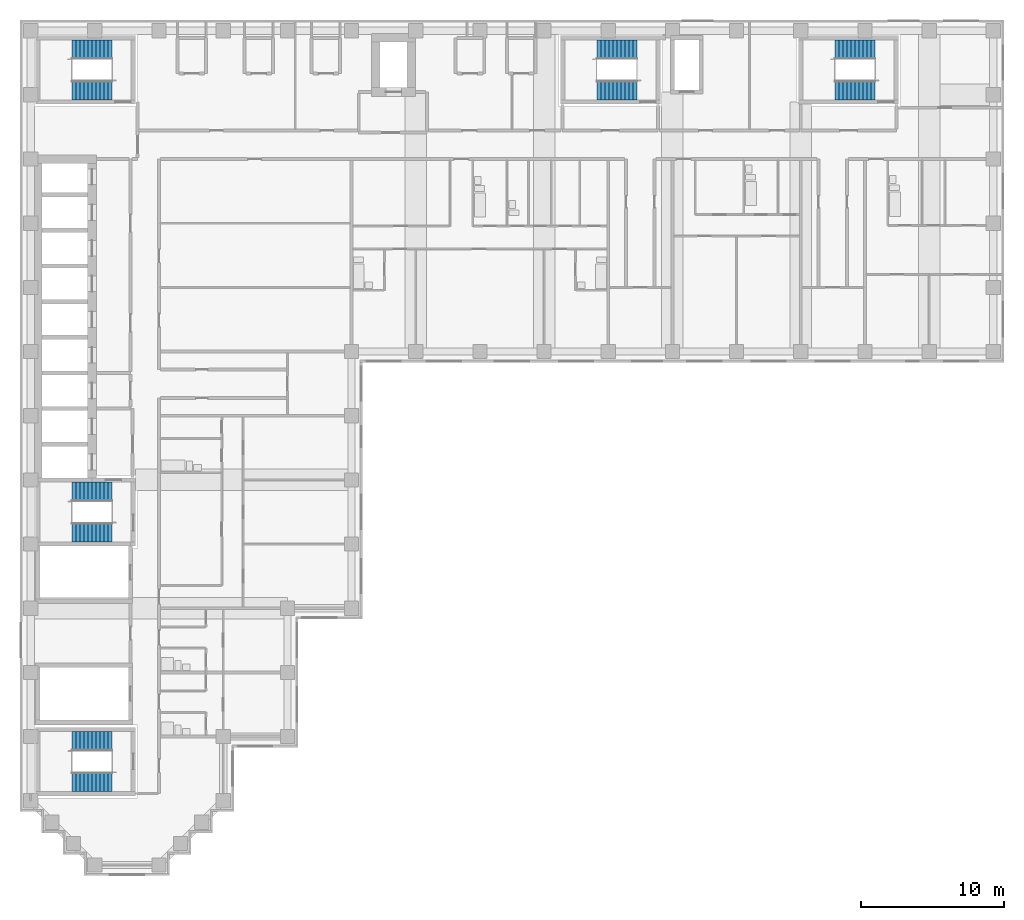
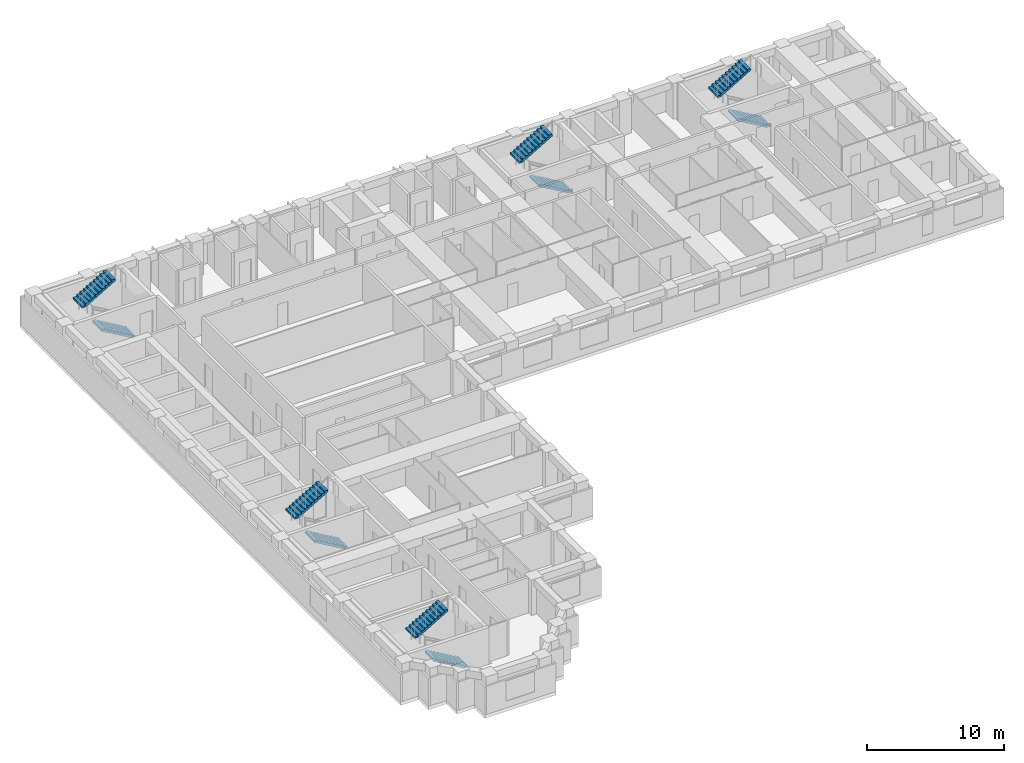
# One storey, part 10 of 12: 10 stair flights, 5 elements without a shape of their own.
"""IFC4 building model written with IfcOpenShell, lengths in metres."""

from ifc_helpers import new_model, si_unit, direction, frame, origin, place, context, subcontext, project, spatial, polyline, outline, extrude, material, type_object, element, aggregate, save


model = new_model("IFC4")

# Units and contexts
model_context = context("Model", 3, precision=1e-05, world=origin(), true_north=direction((0.0, 1.0)))
body_context = subcontext(model_context, "Body", "Model", "MODEL_VIEW")
ifc_project = project(units=[si_unit("LENGTHUNIT", "METRE"), si_unit("AREAUNIT", "SQUARE_METRE"), si_unit("VOLUMEUNIT", "CUBIC_METRE"), si_unit("PLANEANGLEUNIT", "RADIAN"), si_unit("MASSUNIT", "GRAM", prefix="KILO")], contexts=[model_context])

# Site, building, storey
site_placement = place(None, origin())
site = spatial("IfcSite", under=ifc_project, at=site_placement, CompositionType="ELEMENT")
building_placement = place(site_placement, origin())
building = spatial("IfcBuilding", under=site, at=building_placement, Name="Firuza Court", CompositionType="ELEMENT")
storey_placement = place(building_placement, frame((0.0, 0.0, 170.0)))
storey = spatial("IfcBuildingStorey", under=building, at=storey_placement, Name="L43", CompositionType="ELEMENT", Elevation=170.0)

# Stair, stair flights
ifc_material_1 = material(Name="Concrete C40/50 precast", Category="concrete")
stair_type = type_object("IfcStairType", Name="Stair 1350 x 3600 2 flights", PredefinedType="HALF_TURN_STAIR", material=ifc_material_1)
stair_1_placement = place(storey_placement, origin())
stair_1 = element("IfcStair", 1, at=stair_1_placement, inside=storey, type_object=stair_type, Name="Stair 1 L43", PredefinedType="HALF_TURN_STAIR")
ifc_material_2 = material(Name="Concrete C40/50 precast", Category="concrete")
stair_flight_type = type_object("IfcStairFlightType", Name="Flight 1350 riser 163.6", PredefinedType="STRAIGHT", material=ifc_material_2)
stair_flight_1_placement = place(storey_placement, frame((42.5, 54.324951171875, 0.0), z_axis=(0.0, 0.0, 1.0), x_axis=(-1.0, 0.0, 0.0)))
stair_flight_1 = element("IfcStairFlight", 2, at=stair_flight_1_placement, type_object=stair_flight_type, Name="S1 flight 1", NumberOfRisers=11, NumberOfTreads=10, PredefinedType="STRAIGHT", RiserHeight=0.163636364, TreadLength=0.28, context=body_context, shape_type="SweptSolid", body=[
    extrude(outline(polyline([(0.0, 0.0), (0.0, 0.16357421875), (0.280029296875, 0.16357421875), (0.280029296875, 0.327392578125), (0.56005859375, 0.327392578125), (0.56005859375, 0.490966796875), (0.840087890625, 0.490966796875), (0.840087890625, 0.654541015625), (1.1201171875, 0.654541015625), (1.1201171875, 0.818115234375), (1.39990234375, 0.818115234375), (1.39990234375, 0.98193359375), (1.679931640625, 0.98193359375), (1.679931640625, 1.1455078125), (1.9599609375, 1.1455078125), (1.9599609375, 1.30908203125), (2.239990234375, 1.30908203125), (2.239990234375, 1.47265625), (2.52001953125, 1.47265625), (2.52001953125, 1.636474609375), (2.800048828125, 1.636474609375), (2.800048828125, 1.800048828125), (2.800048828125, 1.462646484375), (0.297119140625, 0.0), (0.0, 0.0)])), frame((0.0, 0.675048828125, 0.0), z_axis=(0.0, -1.0, 0.0), x_axis=(1.0, 0.0, 0.0)), (0.0, 0.0, 1.0), 1.35009765625),
])
stair_flight_2_placement = place(storey_placement, frame((39.699951171875, 57.175048828125, 1.800048828125), z_axis=(0.0, 0.0, 1.0), x_axis=(1.0, 0.0, 0.0)))
stair_flight_2 = element("IfcStairFlight", 3, at=stair_flight_2_placement, type_object=stair_flight_type, Name="S1 flight 2", NumberOfRisers=11, NumberOfTreads=10, PredefinedType="STRAIGHT", RiserHeight=0.163636364, TreadLength=0.28, context=body_context, shape_type="SweptSolid", body=[
    extrude(outline(polyline([(0.0, 0.0), (0.0, 0.16357421875), (0.280029296875, 0.16357421875), (0.280029296875, 0.327392578125), (0.56005859375, 0.327392578125), (0.56005859375, 0.490966796875), (0.840087890625, 0.490966796875), (0.840087890625, 0.654541015625), (1.1201171875, 0.654541015625), (1.1201171875, 0.818115234375), (1.39990234375, 0.818115234375), (1.39990234375, 0.98193359375), (1.679931640625, 0.98193359375), (1.679931640625, 1.1455078125), (1.9599609375, 1.1455078125), (1.9599609375, 1.30908203125), (2.239990234375, 1.30908203125), (2.239990234375, 1.47265625), (2.52001953125, 1.47265625), (2.52001953125, 1.636474609375), (2.800048828125, 1.636474609375), (2.800048828125, 1.800048828125), (2.800048828125, 1.462646484375), (0.297119140625, 0.0), (0.0, 0.0)])), frame((0.0, 0.675048828125, 0.0), z_axis=(0.0, -1.0, 0.0), x_axis=(1.0, 0.0, 0.0)), (0.0, 0.0, 1.0), 1.35009765625),
])
aggregate(stair_1, [stair_flight_1, stair_flight_2])

stair_2_placement = place(storey_placement, origin())
stair_2 = element("IfcStair", 4, at=stair_2_placement, inside=storey, type_object=stair_type, Name="Stair 2 L43", PredefinedType="HALF_TURN_STAIR")
stair_flight_3_placement = place(storey_placement, frame((5.699951171875, 23.324951171875, 0.0), z_axis=(0.0, 0.0, 1.0), x_axis=(-1.0, 0.0, 0.0)))
stair_flight_3 = element("IfcStairFlight", 5, at=stair_flight_3_placement, type_object=stair_flight_type, Name="S2 flight 1", NumberOfRisers=11, NumberOfTreads=10, PredefinedType="STRAIGHT", RiserHeight=0.163636364, TreadLength=0.28, context=body_context, shape_type="SweptSolid", body=[
    extrude(outline(polyline([(0.0, 0.0), (0.0, 0.16357421875), (0.280029296875, 0.16357421875), (0.280029296875, 0.327392578125), (0.56005859375, 0.327392578125), (0.56005859375, 0.490966796875), (0.840087890625, 0.490966796875), (0.840087890625, 0.654541015625), (1.1201171875, 0.654541015625), (1.1201171875, 0.818115234375), (1.39990234375, 0.818115234375), (1.39990234375, 0.98193359375), (1.679931640625, 0.98193359375), (1.679931640625, 1.1455078125), (1.9599609375, 1.1455078125), (1.9599609375, 1.30908203125), (2.239990234375, 1.30908203125), (2.239990234375, 1.47265625), (2.52001953125, 1.47265625), (2.52001953125, 1.636474609375), (2.800048828125, 1.636474609375), (2.800048828125, 1.800048828125), (2.800048828125, 1.462646484375), (0.297119140625, 0.0), (0.0, 0.0)])), frame((0.0, 0.675048828125, 0.0), z_axis=(0.0, -1.0, 0.0), x_axis=(1.0, 0.0, 0.0)), (0.0, 0.0, 1.0), 1.35009765625),
])
stair_flight_4_placement = place(storey_placement, frame((2.89990234375, 26.175048828125, 1.800048828125), z_axis=(0.0, 0.0, 1.0), x_axis=(1.0, 0.0, 0.0)))
stair_flight_4 = element("IfcStairFlight", 6, at=stair_flight_4_placement, type_object=stair_flight_type, Name="S2 flight 2", NumberOfRisers=11, NumberOfTreads=10, PredefinedType="STRAIGHT", RiserHeight=0.163636364, TreadLength=0.28, context=body_context, shape_type="SweptSolid", body=[
    extrude(outline(polyline([(0.0, 0.0), (0.0, 0.16357421875), (0.280029296875, 0.16357421875), (0.280029296875, 0.327392578125), (0.56005859375, 0.327392578125), (0.56005859375, 0.490966796875), (0.840087890625, 0.490966796875), (0.840087890625, 0.654541015625), (1.1201171875, 0.654541015625), (1.1201171875, 0.818115234375), (1.39990234375, 0.818115234375), (1.39990234375, 0.98193359375), (1.679931640625, 0.98193359375), (1.679931640625, 1.1455078125), (1.9599609375, 1.1455078125), (1.9599609375, 1.30908203125), (2.239990234375, 1.30908203125), (2.239990234375, 1.47265625), (2.52001953125, 1.47265625), (2.52001953125, 1.636474609375), (2.800048828125, 1.636474609375), (2.800048828125, 1.800048828125), (2.800048828125, 1.462646484375), (0.297119140625, 0.0), (0.0, 0.0)])), frame((0.0, 0.675048828125, 0.0), z_axis=(0.0, -1.0, 0.0), x_axis=(1.0, 0.0, 0.0)), (0.0, 0.0, 1.0), 1.35009765625),
])
aggregate(stair_2, [stair_flight_3, stair_flight_4])

stair_3_placement = place(storey_placement, origin())
stair_3 = element("IfcStair", 7, at=stair_3_placement, inside=storey, type_object=stair_type, Name="Stair 3 L43", PredefinedType="HALF_TURN_STAIR")
stair_flight_5_placement = place(storey_placement, frame((5.699951171875, 54.324951171875, 0.0), z_axis=(0.0, 0.0, 1.0), x_axis=(-1.0, 0.0, 0.0)))
stair_flight_5 = element("IfcStairFlight", 8, at=stair_flight_5_placement, type_object=stair_flight_type, Name="S3 flight 1", NumberOfRisers=11, NumberOfTreads=10, PredefinedType="STRAIGHT", RiserHeight=0.163636364, TreadLength=0.28, context=body_context, shape_type="SweptSolid", body=[
    extrude(outline(polyline([(0.0, 0.0), (0.0, 0.16357421875), (0.280029296875, 0.16357421875), (0.280029296875, 0.327392578125), (0.56005859375, 0.327392578125), (0.56005859375, 0.490966796875), (0.840087890625, 0.490966796875), (0.840087890625, 0.654541015625), (1.1201171875, 0.654541015625), (1.1201171875, 0.818115234375), (1.39990234375, 0.818115234375), (1.39990234375, 0.98193359375), (1.679931640625, 0.98193359375), (1.679931640625, 1.1455078125), (1.9599609375, 1.1455078125), (1.9599609375, 1.30908203125), (2.239990234375, 1.30908203125), (2.239990234375, 1.47265625), (2.52001953125, 1.47265625), (2.52001953125, 1.636474609375), (2.800048828125, 1.636474609375), (2.800048828125, 1.800048828125), (2.800048828125, 1.462646484375), (0.297119140625, 0.0), (0.0, 0.0)])), frame((0.0, 0.675048828125, 0.0), z_axis=(0.0, -1.0, 0.0), x_axis=(1.0, 0.0, 0.0)), (0.0, 0.0, 1.0), 1.35009765625),
])
stair_flight_6_placement = place(storey_placement, frame((2.89990234375, 57.175048828125, 1.800048828125), z_axis=(0.0, 0.0, 1.0), x_axis=(1.0, 0.0, 0.0)))
stair_flight_6 = element("IfcStairFlight", 9, at=stair_flight_6_placement, type_object=stair_flight_type, Name="S3 flight 2", NumberOfRisers=11, NumberOfTreads=10, PredefinedType="STRAIGHT", RiserHeight=0.163636364, TreadLength=0.28, context=body_context, shape_type="SweptSolid", body=[
    extrude(outline(polyline([(0.0, 0.0), (0.0, 0.16357421875), (0.280029296875, 0.16357421875), (0.280029296875, 0.327392578125), (0.56005859375, 0.327392578125), (0.56005859375, 0.490966796875), (0.840087890625, 0.490966796875), (0.840087890625, 0.654541015625), (1.1201171875, 0.654541015625), (1.1201171875, 0.818115234375), (1.39990234375, 0.818115234375), (1.39990234375, 0.98193359375), (1.679931640625, 0.98193359375), (1.679931640625, 1.1455078125), (1.9599609375, 1.1455078125), (1.9599609375, 1.30908203125), (2.239990234375, 1.30908203125), (2.239990234375, 1.47265625), (2.52001953125, 1.47265625), (2.52001953125, 1.636474609375), (2.800048828125, 1.636474609375), (2.800048828125, 1.800048828125), (2.800048828125, 1.462646484375), (0.297119140625, 0.0), (0.0, 0.0)])), frame((0.0, 0.675048828125, 0.0), z_axis=(0.0, -1.0, 0.0), x_axis=(1.0, 0.0, 0.0)), (0.0, 0.0, 1.0), 1.35009765625),
])
aggregate(stair_3, [stair_flight_5, stair_flight_6])

stair_4_placement = place(storey_placement, origin())
stair_4 = element("IfcStair", 10, at=stair_4_placement, inside=storey, type_object=stair_type, Name="Stair 4 L43", PredefinedType="HALF_TURN_STAIR")
stair_flight_7_placement = place(storey_placement, frame((59.199951171875, 54.324951171875, 0.0), z_axis=(0.0, 0.0, 1.0), x_axis=(-1.0, 0.0, 0.0)))
stair_flight_7 = element("IfcStairFlight", 11, at=stair_flight_7_placement, type_object=stair_flight_type, Name="S4 flight 1", NumberOfRisers=11, NumberOfTreads=10, PredefinedType="STRAIGHT", RiserHeight=0.163636364, TreadLength=0.28, context=body_context, shape_type="SweptSolid", body=[
    extrude(outline(polyline([(0.0, 0.0), (0.0, 0.16357421875), (0.280029296875, 0.16357421875), (0.280029296875, 0.327392578125), (0.56005859375, 0.327392578125), (0.56005859375, 0.490966796875), (0.840087890625, 0.490966796875), (0.840087890625, 0.654541015625), (1.1201171875, 0.654541015625), (1.1201171875, 0.818115234375), (1.39990234375, 0.818115234375), (1.39990234375, 0.98193359375), (1.679931640625, 0.98193359375), (1.679931640625, 1.1455078125), (1.9599609375, 1.1455078125), (1.9599609375, 1.30908203125), (2.239990234375, 1.30908203125), (2.239990234375, 1.47265625), (2.52001953125, 1.47265625), (2.52001953125, 1.636474609375), (2.800048828125, 1.636474609375), (2.800048828125, 1.800048828125), (2.800048828125, 1.462646484375), (0.297119140625, 0.0), (0.0, 0.0)])), frame((0.0, 0.675048828125, 0.0), z_axis=(0.0, -1.0, 0.0), x_axis=(1.0, 0.0, 0.0)), (0.0, 0.0, 1.0), 1.35009765625),
])
stair_flight_8_placement = place(storey_placement, frame((56.39990234375, 57.175048828125, 1.800048828125), z_axis=(0.0, 0.0, 1.0), x_axis=(1.0, 0.0, 0.0)))
stair_flight_8 = element("IfcStairFlight", 12, at=stair_flight_8_placement, type_object=stair_flight_type, Name="S4 flight 2", NumberOfRisers=11, NumberOfTreads=10, PredefinedType="STRAIGHT", RiserHeight=0.163636364, TreadLength=0.28, context=body_context, shape_type="SweptSolid", body=[
    extrude(outline(polyline([(0.0, 0.0), (0.0, 0.16357421875), (0.280029296875, 0.16357421875), (0.280029296875, 0.327392578125), (0.56005859375, 0.327392578125), (0.56005859375, 0.490966796875), (0.840087890625, 0.490966796875), (0.840087890625, 0.654541015625), (1.1201171875, 0.654541015625), (1.1201171875, 0.818115234375), (1.39990234375, 0.818115234375), (1.39990234375, 0.98193359375), (1.679931640625, 0.98193359375), (1.679931640625, 1.1455078125), (1.9599609375, 1.1455078125), (1.9599609375, 1.30908203125), (2.239990234375, 1.30908203125), (2.239990234375, 1.47265625), (2.52001953125, 1.47265625), (2.52001953125, 1.636474609375), (2.800048828125, 1.636474609375), (2.800048828125, 1.800048828125), (2.800048828125, 1.462646484375), (0.297119140625, 0.0), (0.0, 0.0)])), frame((0.0, 0.675048828125, 0.0), z_axis=(0.0, -1.0, 0.0), x_axis=(1.0, 0.0, 0.0)), (0.0, 0.0, 1.0), 1.35009765625),
])
aggregate(stair_4, [stair_flight_7, stair_flight_8])

stair_5_placement = place(storey_placement, origin())
stair_5 = element("IfcStair", 13, at=stair_5_placement, inside=storey, type_object=stair_type, Name="Stair 5 L43", PredefinedType="HALF_TURN_STAIR")
stair_flight_9_placement = place(storey_placement, frame((5.699951171875, 5.824951171875, 0.0), z_axis=(0.0, 0.0, 1.0), x_axis=(-1.0, 0.0, 0.0)))
stair_flight_9 = element("IfcStairFlight", 14, at=stair_flight_9_placement, type_object=stair_flight_type, Name="S5 flight 1", NumberOfRisers=11, NumberOfTreads=10, PredefinedType="STRAIGHT", RiserHeight=0.163636364, TreadLength=0.28, context=body_context, shape_type="SweptSolid", body=[
    extrude(outline(polyline([(0.0, 0.0), (0.0, 0.16357421875), (0.280029296875, 0.16357421875), (0.280029296875, 0.327392578125), (0.56005859375, 0.327392578125), (0.56005859375, 0.490966796875), (0.840087890625, 0.490966796875), (0.840087890625, 0.654541015625), (1.1201171875, 0.654541015625), (1.1201171875, 0.818115234375), (1.39990234375, 0.818115234375), (1.39990234375, 0.98193359375), (1.679931640625, 0.98193359375), (1.679931640625, 1.1455078125), (1.9599609375, 1.1455078125), (1.9599609375, 1.30908203125), (2.239990234375, 1.30908203125), (2.239990234375, 1.47265625), (2.52001953125, 1.47265625), (2.52001953125, 1.636474609375), (2.800048828125, 1.636474609375), (2.800048828125, 1.800048828125), (2.800048828125, 1.462646484375), (0.297119140625, 0.0), (0.0, 0.0)])), frame((0.0, 0.675048828125, 0.0), z_axis=(0.0, -1.0, 0.0), x_axis=(1.0, 0.0, 0.0)), (0.0, 0.0, 1.0), 1.35009765625),
])
stair_flight_10_placement = place(storey_placement, frame((2.89990234375, 8.675048828125, 1.800048828125), z_axis=(0.0, 0.0, 1.0), x_axis=(1.0, 0.0, 0.0)))
stair_flight_10 = element("IfcStairFlight", 15, at=stair_flight_10_placement, type_object=stair_flight_type, Name="S5 flight 2", NumberOfRisers=11, NumberOfTreads=10, PredefinedType="STRAIGHT", RiserHeight=0.163636364, TreadLength=0.28, context=body_context, shape_type="SweptSolid", body=[
    extrude(outline(polyline([(0.0, 0.0), (0.0, 0.16357421875), (0.280029296875, 0.16357421875), (0.280029296875, 0.327392578125), (0.56005859375, 0.327392578125), (0.56005859375, 0.490966796875), (0.840087890625, 0.490966796875), (0.840087890625, 0.654541015625), (1.1201171875, 0.654541015625), (1.1201171875, 0.818115234375), (1.39990234375, 0.818115234375), (1.39990234375, 0.98193359375), (1.679931640625, 0.98193359375), (1.679931640625, 1.1455078125), (1.9599609375, 1.1455078125), (1.9599609375, 1.30908203125), (2.239990234375, 1.30908203125), (2.239990234375, 1.47265625), (2.52001953125, 1.47265625), (2.52001953125, 1.636474609375), (2.800048828125, 1.636474609375), (2.800048828125, 1.800048828125), (2.800048828125, 1.462646484375), (0.297119140625, 0.0), (0.0, 0.0)])), frame((0.0, 0.675048828125, 0.0), z_axis=(0.0, -1.0, 0.0), x_axis=(1.0, 0.0, 0.0)), (0.0, 0.0, 1.0), 1.35009765625),
])
aggregate(stair_5, [stair_flight_9, stair_flight_10])

save(model, "model.ifc")
